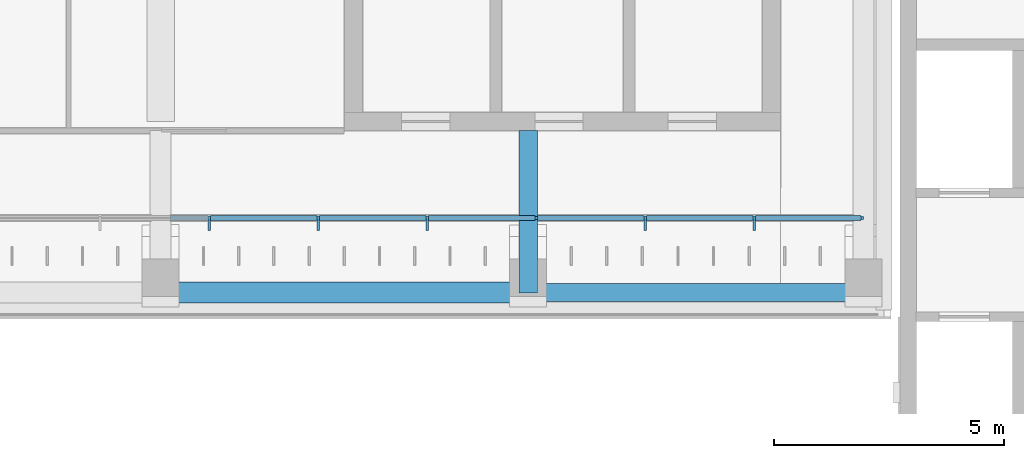
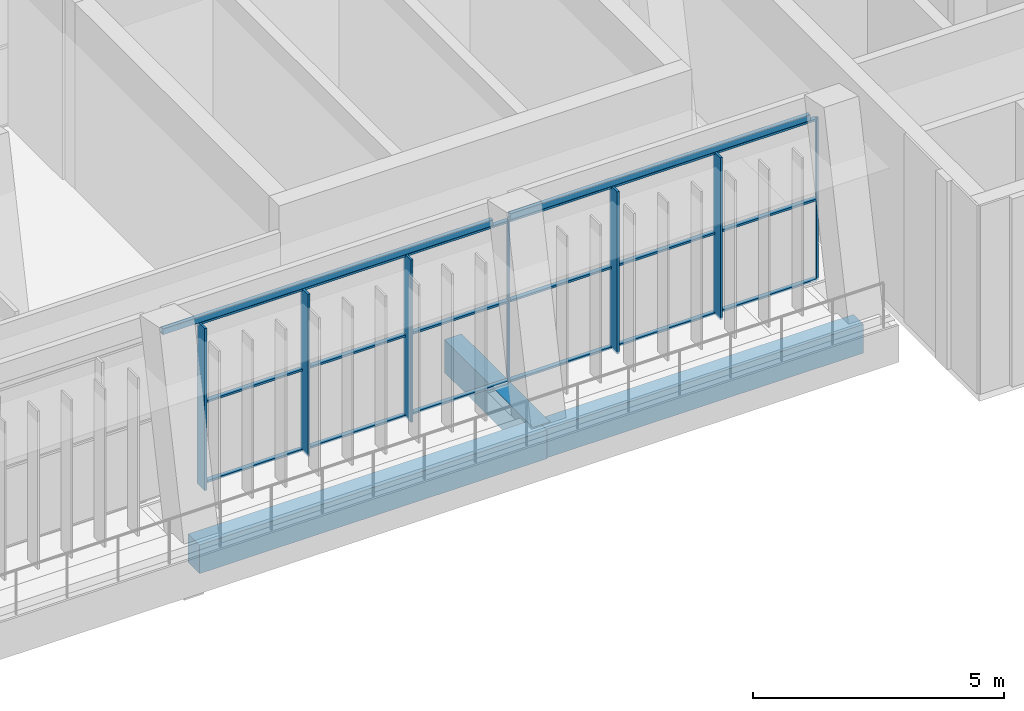
# One storey, part 43 of 89: 25 members, 5 beams, 1 element without a shape of its own.
"""IFC4 building model written with IfcOpenShell, lengths in metres."""

from ifc_helpers import new_model, si_unit, direction, frame, origin, origin_2d, place, context, subcontext, project, spatial, rectangle, hollow_rectangle, extrude, material, material_profile, profile_set, type_object, element, aggregate, save


model = new_model("IFC4")

# Units and contexts
model_context = context("Model", 3, precision=1e-05, world=origin(), true_north=direction((0.0, 1.0)))
body_context = subcontext(model_context, "Body", "Model", "MODEL_VIEW")
ifc_project = project(units=[si_unit("LENGTHUNIT", "METRE"), si_unit("AREAUNIT", "SQUARE_METRE"), si_unit("VOLUMEUNIT", "CUBIC_METRE"), si_unit("PLANEANGLEUNIT", "RADIAN"), si_unit("MASSUNIT", "GRAM", prefix="KILO")], contexts=[model_context])

# Site, building, storey
site_placement = place(None, origin())
site = spatial("IfcSite", under=ifc_project, at=site_placement, CompositionType="ELEMENT")
building_placement = place(site_placement, origin())
building = spatial("IfcBuilding", under=site, at=building_placement, Name="Lantern Court Media Centre", CompositionType="ELEMENT")
storey_placement = place(building_placement, frame((0.0, 0.0, 14.39990234375)))
storey = spatial("IfcBuildingStorey", under=building, at=storey_placement, Name="L03", CompositionType="ELEMENT", Elevation=14.39990234375)

# Curtain wall, members
ifc_material_1 = material(Name="Curtain wall bay 2400")
curtain_wall_type = type_object("IfcCurtainWallType", Name="Curtain wall bay 2400", PredefinedType="NOTDEFINED", material=ifc_material_1)
curtain_wall_placement = place(storey_placement, origin())
curtain_wall = element("IfcCurtainWall", 1, at=curtain_wall_placement, inside=storey, type_object=curtain_wall_type, Name="Curtain wall N inner L03", PredefinedType="NOTDEFINED")
ifc_material_2 = material(Name="Anodised aluminium", Category="aluminium")
ifc_material_profile_1 = material_profile(ifc_material_2, rectangle(XDim=0.300048828125, YDim=0.050048828125, at=origin_2d()), Name="AL 50x300")
ifc_profile_set_1 = profile_set([ifc_material_profile_1], Name="Anodised aluminium")
member_type_1 = type_object("IfcMemberType", Name="Curtain wall mullion 50x300", PredefinedType="MULLION", material=ifc_profile_set_1)
member_1_placement = place(storey_placement, frame((65.056640625, 101.030029296875, 0.0), z_axis=(0.0, 0.0, 1.0), x_axis=(0.0, 1.0, 0.0)))
member_1 = element("IfcMember", 2, at=member_1_placement, type_object=member_type_1, Name="CW2 mullion 18", PredefinedType="MULLION", context=body_context, shape_type="SweptSolid", body=[
    extrude(rectangle(XDim=0.300048828125, YDim=0.050048828125, at=origin_2d()), origin(), (0.0, 0.0, 1.0), 3.9501953125),
])
member_2_placement = place(storey_placement, frame((67.430419921875, 101.030029296875, 0.0), z_axis=(0.0, 0.0, 1.0), x_axis=(0.0, 1.0, 0.0)))
member_2 = element("IfcMember", 3, at=member_2_placement, type_object=member_type_1, Name="CW2 mullion 19", PredefinedType="MULLION", context=body_context, shape_type="SweptSolid", body=[
    extrude(rectangle(XDim=0.300048828125, YDim=0.050048828125, at=origin_2d()), origin(), (0.0, 0.0, 1.0), 3.9501953125),
])
member_3_placement = place(storey_placement, frame((69.804443359375, 101.030029296875, 0.0), z_axis=(0.0, 0.0, 1.0), x_axis=(0.0, 1.0, 0.0)))
member_3 = element("IfcMember", 4, at=member_3_placement, type_object=member_type_1, Name="CW2 mullion 20", PredefinedType="MULLION", context=body_context, shape_type="SweptSolid", body=[
    extrude(rectangle(XDim=0.300048828125, YDim=0.050048828125, at=origin_2d()), origin(), (0.0, 0.0, 1.0), 3.9501953125),
])
member_4_placement = place(storey_placement, frame((74.55224609375, 101.030029296875, 0.0), z_axis=(0.0, 0.0, 1.0), x_axis=(0.0, 1.0, 0.0)))
member_4 = element("IfcMember", 5, at=member_4_placement, type_object=member_type_1, Name="CW2 mullion 22", PredefinedType="MULLION", context=body_context, shape_type="SweptSolid", body=[
    extrude(rectangle(XDim=0.300048828125, YDim=0.050048828125, at=origin_2d()), origin(), (0.0, 0.0, 1.0), 3.9501953125),
])
member_5_placement = place(storey_placement, frame((76.926025390625, 101.030029296875, 0.0), z_axis=(0.0, 0.0, 1.0), x_axis=(0.0, 1.0, 0.0)))
member_5 = element("IfcMember", 6, at=member_5_placement, type_object=member_type_1, Name="CW2 mullion 23", PredefinedType="MULLION", context=body_context, shape_type="SweptSolid", body=[
    extrude(rectangle(XDim=0.300048828125, YDim=0.050048828125, at=origin_2d()), origin(), (0.0, 0.0, 1.0), 3.9501953125),
])
ifc_material_profile_2 = material_profile(ifc_material_2, rectangle(XDim=0.06005859375, YDim=0.050048828125, at=origin_2d()), Name="AL 50x60")
ifc_profile_set_2 = profile_set([ifc_material_profile_2], Name="Anodised aluminium")
member_type_2 = type_object("IfcMemberType", Name="Curtain wall mullion 50x60", PredefinedType="MULLION", material=ifc_profile_set_2)
member_6_placement = place(storey_placement, frame((72.17822265625, 101.14990234375, 0.0), z_axis=(0.0, 0.0, 1.0), x_axis=(0.0, 1.0, 0.0)))
member_6 = element("IfcMember", 7, at=member_6_placement, type_object=member_type_2, Name="CW2 mullion 21", PredefinedType="MULLION", context=body_context, shape_type="SweptSolid", body=[
    extrude(rectangle(XDim=0.06005859375, YDim=0.050048828125, at=origin_2d()), origin(), (0.0, 0.0, 1.0), 3.9501953125),
])
member_7_placement = place(storey_placement, frame((79.27490234375, 101.14990234375, 0.0), z_axis=(0.0, 0.0, 1.0), x_axis=(0.0, 1.0, 0.0)))
member_7 = element("IfcMember", 8, at=member_7_placement, type_object=member_type_2, Name="CW2 mullion 24", PredefinedType="MULLION", context=body_context, shape_type="SweptSolid", body=[
    extrude(rectangle(XDim=0.06005859375, YDim=0.050048828125, at=origin_2d()), origin(), (0.0, 0.0, 1.0), 3.9501953125),
])
ifc_material_profile_3 = material_profile(ifc_material_2, rectangle(XDim=0.10009765625, YDim=0.050048828125, at=origin_2d()), Name="AL 50x100")
ifc_profile_set_3 = profile_set([ifc_material_profile_3], Name="Anodised aluminium")
member_type_3 = type_object("IfcMemberType", Name="Curtain wall transom 100x50", PredefinedType="USERDEFINED", material=ifc_profile_set_3)
member_8_placement = place(storey_placement, frame((65.08154296875, 101.14990234375, 0.025146484375), z_axis=(1.0, 0.0, 0.0), x_axis=(0.0, 1.0, 0.0)))
member_8 = element("IfcMember", 9, at=member_8_placement, type_object=member_type_3, Name="CW2 transom 18.1", ObjectType="TRANSOM", PredefinedType="USERDEFINED", context=body_context, shape_type="SweptSolid", body=[
    extrude(rectangle(XDim=0.10009765625, YDim=0.050048828125, at=origin_2d()), origin(), (0.0, 0.0, 1.0), 2.323974609375),
])
member_9_placement = place(storey_placement, frame((65.08154296875, 101.14990234375, 1.97509765625), z_axis=(1.0, 0.0, 0.0), x_axis=(0.0, 1.0, 0.0)))
member_9 = element("IfcMember", 10, at=member_9_placement, type_object=member_type_3, Name="CW2 transom 18.2", ObjectType="TRANSOM", PredefinedType="USERDEFINED", context=body_context, shape_type="SweptSolid", body=[
    extrude(rectangle(XDim=0.10009765625, YDim=0.050048828125, at=origin_2d()), origin(), (0.0, 0.0, 1.0), 2.323974609375),
])
member_10_placement = place(storey_placement, frame((65.08154296875, 101.14990234375, 3.925048828125), z_axis=(1.0, 0.0, 0.0), x_axis=(0.0, 1.0, 0.0)))
member_10 = element("IfcMember", 11, at=member_10_placement, type_object=member_type_3, Name="CW2 transom 18.3", ObjectType="TRANSOM", PredefinedType="USERDEFINED", context=body_context, shape_type="SweptSolid", body=[
    extrude(rectangle(XDim=0.10009765625, YDim=0.050048828125, at=origin_2d()), origin(), (0.0, 0.0, 1.0), 2.323974609375),
])
member_11_placement = place(storey_placement, frame((67.455322265625, 101.14990234375, 0.025146484375), z_axis=(1.0, 0.0, 0.0), x_axis=(0.0, 1.0, 0.0)))
member_11 = element("IfcMember", 12, at=member_11_placement, type_object=member_type_3, Name="CW2 transom 19.1", ObjectType="TRANSOM", PredefinedType="USERDEFINED", context=body_context, shape_type="SweptSolid", body=[
    extrude(rectangle(XDim=0.10009765625, YDim=0.050048828125, at=origin_2d()), origin(), (0.0, 0.0, 1.0), 2.323974609375),
])
member_12_placement = place(storey_placement, frame((67.455322265625, 101.14990234375, 1.97509765625), z_axis=(1.0, 0.0, 0.0), x_axis=(0.0, 1.0, 0.0)))
member_12 = element("IfcMember", 13, at=member_12_placement, type_object=member_type_3, Name="CW2 transom 19.2", ObjectType="TRANSOM", PredefinedType="USERDEFINED", context=body_context, shape_type="SweptSolid", body=[
    extrude(rectangle(XDim=0.10009765625, YDim=0.050048828125, at=origin_2d()), origin(), (0.0, 0.0, 1.0), 2.323974609375),
])
member_13_placement = place(storey_placement, frame((67.455322265625, 101.14990234375, 3.925048828125), z_axis=(1.0, 0.0, 0.0), x_axis=(0.0, 1.0, 0.0)))
member_13 = element("IfcMember", 14, at=member_13_placement, type_object=member_type_3, Name="CW2 transom 19.3", ObjectType="TRANSOM", PredefinedType="USERDEFINED", context=body_context, shape_type="SweptSolid", body=[
    extrude(rectangle(XDim=0.10009765625, YDim=0.050048828125, at=origin_2d()), origin(), (0.0, 0.0, 1.0), 2.323974609375),
])
member_14_placement = place(storey_placement, frame((69.829345703125, 101.14990234375, 0.025146484375), z_axis=(1.0, 0.0, 0.0), x_axis=(0.0, 1.0, 0.0)))
member_14 = element("IfcMember", 15, at=member_14_placement, type_object=member_type_3, Name="CW2 transom 20.1", ObjectType="TRANSOM", PredefinedType="USERDEFINED", context=body_context, shape_type="SweptSolid", body=[
    extrude(rectangle(XDim=0.10009765625, YDim=0.050048828125, at=origin_2d()), origin(), (0.0, 0.0, 1.0), 2.323974609375),
])
member_15_placement = place(storey_placement, frame((69.829345703125, 101.14990234375, 1.97509765625), z_axis=(1.0, 0.0, 0.0), x_axis=(0.0, 1.0, 0.0)))
member_15 = element("IfcMember", 16, at=member_15_placement, type_object=member_type_3, Name="CW2 transom 20.2", ObjectType="TRANSOM", PredefinedType="USERDEFINED", context=body_context, shape_type="SweptSolid", body=[
    extrude(rectangle(XDim=0.10009765625, YDim=0.050048828125, at=origin_2d()), origin(), (0.0, 0.0, 1.0), 2.323974609375),
])
member_16_placement = place(storey_placement, frame((69.829345703125, 101.14990234375, 3.925048828125), z_axis=(1.0, 0.0, 0.0), x_axis=(0.0, 1.0, 0.0)))
member_16 = element("IfcMember", 17, at=member_16_placement, type_object=member_type_3, Name="CW2 transom 20.3", ObjectType="TRANSOM", PredefinedType="USERDEFINED", context=body_context, shape_type="SweptSolid", body=[
    extrude(rectangle(XDim=0.10009765625, YDim=0.050048828125, at=origin_2d()), origin(), (0.0, 0.0, 1.0), 2.323974609375),
])
member_17_placement = place(storey_placement, frame((72.203369140625, 101.14990234375, 0.025146484375), z_axis=(1.0, 0.0, 0.0), x_axis=(0.0, 1.0, 0.0)))
member_17 = element("IfcMember", 18, at=member_17_placement, type_object=member_type_3, Name="CW2 transom 21.1", ObjectType="TRANSOM", PredefinedType="USERDEFINED", context=body_context, shape_type="SweptSolid", body=[
    extrude(rectangle(XDim=0.10009765625, YDim=0.050048828125, at=origin_2d()), origin(), (0.0, 0.0, 1.0), 2.32373046875),
])
member_18_placement = place(storey_placement, frame((72.203369140625, 101.14990234375, 1.97509765625), z_axis=(1.0, 0.0, 0.0), x_axis=(0.0, 1.0, 0.0)))
member_18 = element("IfcMember", 19, at=member_18_placement, type_object=member_type_3, Name="CW2 transom 21.2", ObjectType="TRANSOM", PredefinedType="USERDEFINED", context=body_context, shape_type="SweptSolid", body=[
    extrude(rectangle(XDim=0.10009765625, YDim=0.050048828125, at=origin_2d()), origin(), (0.0, 0.0, 1.0), 2.32373046875),
])
member_19_placement = place(storey_placement, frame((72.203369140625, 101.14990234375, 3.925048828125), z_axis=(1.0, 0.0, 0.0), x_axis=(0.0, 1.0, 0.0)))
member_19 = element("IfcMember", 20, at=member_19_placement, type_object=member_type_3, Name="CW2 transom 21.3", ObjectType="TRANSOM", PredefinedType="USERDEFINED", context=body_context, shape_type="SweptSolid", body=[
    extrude(rectangle(XDim=0.10009765625, YDim=0.050048828125, at=origin_2d()), origin(), (0.0, 0.0, 1.0), 2.32373046875),
])
member_20_placement = place(storey_placement, frame((74.5771484375, 101.14990234375, 0.025146484375), z_axis=(1.0, 0.0, 0.0), x_axis=(0.0, 1.0, 0.0)))
member_20 = element("IfcMember", 21, at=member_20_placement, type_object=member_type_3, Name="CW2 transom 22.1", ObjectType="TRANSOM", PredefinedType="USERDEFINED", context=body_context, shape_type="SweptSolid", body=[
    extrude(rectangle(XDim=0.10009765625, YDim=0.050048828125, at=origin_2d()), origin(), (0.0, 0.0, 1.0), 2.323974609375),
])
member_21_placement = place(storey_placement, frame((74.5771484375, 101.14990234375, 1.97509765625), z_axis=(1.0, 0.0, 0.0), x_axis=(0.0, 1.0, 0.0)))
member_21 = element("IfcMember", 22, at=member_21_placement, type_object=member_type_3, Name="CW2 transom 22.2", ObjectType="TRANSOM", PredefinedType="USERDEFINED", context=body_context, shape_type="SweptSolid", body=[
    extrude(rectangle(XDim=0.10009765625, YDim=0.050048828125, at=origin_2d()), origin(), (0.0, 0.0, 1.0), 2.323974609375),
])
member_22_placement = place(storey_placement, frame((74.5771484375, 101.14990234375, 3.925048828125), z_axis=(1.0, 0.0, 0.0), x_axis=(0.0, 1.0, 0.0)))
member_22 = element("IfcMember", 23, at=member_22_placement, type_object=member_type_3, Name="CW2 transom 22.3", ObjectType="TRANSOM", PredefinedType="USERDEFINED", context=body_context, shape_type="SweptSolid", body=[
    extrude(rectangle(XDim=0.10009765625, YDim=0.050048828125, at=origin_2d()), origin(), (0.0, 0.0, 1.0), 2.323974609375),
])
member_23_placement = place(storey_placement, frame((76.951171875, 101.14990234375, 0.025146484375), z_axis=(1.0, 0.0, 0.0), x_axis=(0.0, 1.0, 0.0)))
member_23 = element("IfcMember", 24, at=member_23_placement, type_object=member_type_3, Name="CW2 transom 23.1", ObjectType="TRANSOM", PredefinedType="USERDEFINED", context=body_context, shape_type="SweptSolid", body=[
    extrude(rectangle(XDim=0.10009765625, YDim=0.050048828125, at=origin_2d()), origin(), (0.0, 0.0, 1.0), 2.298828125),
])
member_24_placement = place(storey_placement, frame((76.951171875, 101.14990234375, 1.97509765625), z_axis=(1.0, 0.0, 0.0), x_axis=(0.0, 1.0, 0.0)))
member_24 = element("IfcMember", 25, at=member_24_placement, type_object=member_type_3, Name="CW2 transom 23.2", ObjectType="TRANSOM", PredefinedType="USERDEFINED", context=body_context, shape_type="SweptSolid", body=[
    extrude(rectangle(XDim=0.10009765625, YDim=0.050048828125, at=origin_2d()), origin(), (0.0, 0.0, 1.0), 2.298828125),
])
member_25_placement = place(storey_placement, frame((76.951171875, 101.14990234375, 3.925048828125), z_axis=(1.0, 0.0, 0.0), x_axis=(0.0, 1.0, 0.0)))
member_25 = element("IfcMember", 26, at=member_25_placement, type_object=member_type_3, Name="CW2 transom 23.3", ObjectType="TRANSOM", PredefinedType="USERDEFINED", context=body_context, shape_type="SweptSolid", body=[
    extrude(rectangle(XDim=0.10009765625, YDim=0.050048828125, at=origin_2d()), origin(), (0.0, 0.0, 1.0), 2.298828125),
])
aggregate(curtain_wall, [member_1, member_2, member_3, member_6, member_4, member_5, member_7, member_8, member_9, member_10, member_11, member_12, member_13, member_14, member_15, member_16, member_17, member_18, member_19, member_20, member_21, member_22, member_23, member_24, member_25])

# Beams
ifc_material_3 = material(Name="Steel S355J2 (EN 10025-2)", Category="steel")
ifc_material_profile_4 = material_profile(ifc_material_3, hollow_rectangle(XDim=0.10009765625, YDim=0.14990234375, WallThickness=0.00634765625, InnerFilletRadius=0.00634765625, OuterFilletRadius=0.009521484375, at=origin_2d()), Name="Facade head lintel RHS 150x100x6.3")
ifc_profile_set_4 = profile_set([ifc_material_profile_4], Name="Steel S355J2 (EN 10025-2)")
beam_type_1 = type_object("IfcBeamType", Name="Facade head lintel RHS 150x100x6.3", PredefinedType="BEAM", material=ifc_profile_set_4)
beam_1_placement = place(storey_placement, frame((64.199951171875, 101.14990234375, 4.025146484375), z_axis=(1.0, 0.0, 0.0), x_axis=(0.0, 1.0, 0.0)))
element("IfcBeam", 27, at=beam_1_placement, inside=storey, type_object=beam_type_1, Name="Facade head lintel N L03", PredefinedType="BEAM", context=body_context, shape_type="SweptSolid", body=[
    extrude(hollow_rectangle(XDim=0.10009765625, YDim=0.14990234375, WallThickness=0.00634765625, InnerFilletRadius=0.00634765625, OuterFilletRadius=0.009521484375, at=origin_2d()), origin(), (0.0, 0.0, 1.0), 7.60009765625),
])
beam_2_placement = place(storey_placement, frame((72.199951171875, 101.14990234375, 4.025146484375), z_axis=(1.0, 0.0, 0.0), x_axis=(0.0, 1.0, 0.0)))
element("IfcBeam", 28, at=beam_2_placement, inside=storey, type_object=beam_type_1, Name="Facade head lintel N L03", PredefinedType="BEAM", context=body_context, shape_type="SweptSolid", body=[
    extrude(hollow_rectangle(XDim=0.10009765625, YDim=0.14990234375, WallThickness=0.00634765625, InnerFilletRadius=0.00634765625, OuterFilletRadius=0.009521484375, at=origin_2d()), origin(), (0.0, 0.0, 1.0), 6.900146484375),
])
ifc_material_4 = material(Name="Concrete C35", Category="concrete")
ifc_material_profile_5 = material_profile(ifc_material_4, rectangle(XDim=0.39990234375, YDim=0.699951171875, at=origin_2d()), Name="RC 400x700")
ifc_profile_set_5 = profile_set([ifc_material_profile_5], Name="Concrete C35")
beam_type_2 = type_object("IfcBeamType", Name="RC BEAM 400x700", PredefinedType="BEAM", material=ifc_profile_set_5)
beam_3_placement = place(storey_placement, frame((72.0, 99.527099609375, -0.349853515625), z_axis=(1.0, 0.0, 0.0), x_axis=(0.0, 1.0, 0.0)))
element("IfcBeam", 29, at=beam_3_placement, inside=storey, type_object=beam_type_2, Name="LB-N-L03-0-6", PredefinedType="BEAM", context=body_context, shape_type="SweptSolid", body=[
    extrude(rectangle(XDim=0.39990234375, YDim=0.699951171875, at=origin_2d()), origin(), (0.0, 0.0, 1.0), 7.300048828125),
])
ifc_material_profile_6 = material_profile(ifc_material_4, rectangle(XDim=0.39990234375, YDim=0.800048828125, at=origin_2d()), Name="RC 400x800")
ifc_profile_set_6 = profile_set([ifc_material_profile_6], Name="Concrete C35")
beam_type_3 = type_object("IfcBeamType", Name="RC BEAM 400x800", PredefinedType="BEAM", material=ifc_profile_set_6)
beam_4_placement = place(storey_placement, frame((72.0, 99.5166015625, -0.39990234375), z_axis=(0.0, 1.0, 0.0), x_axis=(-1.0, 0.0, 0.0)))
element("IfcBeam", 30, at=beam_4_placement, inside=storey, type_object=beam_type_3, Name="TB-N-L03-6-1", PredefinedType="BEAM", context=body_context, shape_type="SweptSolid", body=[
    extrude(rectangle(XDim=0.39990234375, YDim=0.800048828125, at=origin_2d()), origin(), (0.0, 0.0, 1.0), 3.533447265625),
])
ifc_material_profile_7 = material_profile(ifc_material_4, rectangle(XDim=0.449951171875, YDim=0.699951171875, at=origin_2d()), Name="RC 450x700")
ifc_profile_set_7 = profile_set([ifc_material_profile_7], Name="Concrete C35")
beam_type_4 = type_object("IfcBeamType", Name="RC BEAM 450x700", PredefinedType="BEAM", material=ifc_profile_set_7)
beam_5_placement = place(storey_placement, frame((64.0, 99.527099609375, -0.349853515625), z_axis=(1.0, 0.0, 0.0), x_axis=(0.0, 1.0, 0.0)))
element("IfcBeam", 31, at=beam_5_placement, inside=storey, type_object=beam_type_4, Name="LB-N-L03-0-5", PredefinedType="BEAM", context=body_context, shape_type="SweptSolid", body=[
    extrude(rectangle(XDim=0.449951171875, YDim=0.699951171875, at=origin_2d()), origin(), (0.0, 0.0, 1.0), 8.0),
])

save(model, "model.ifc")
